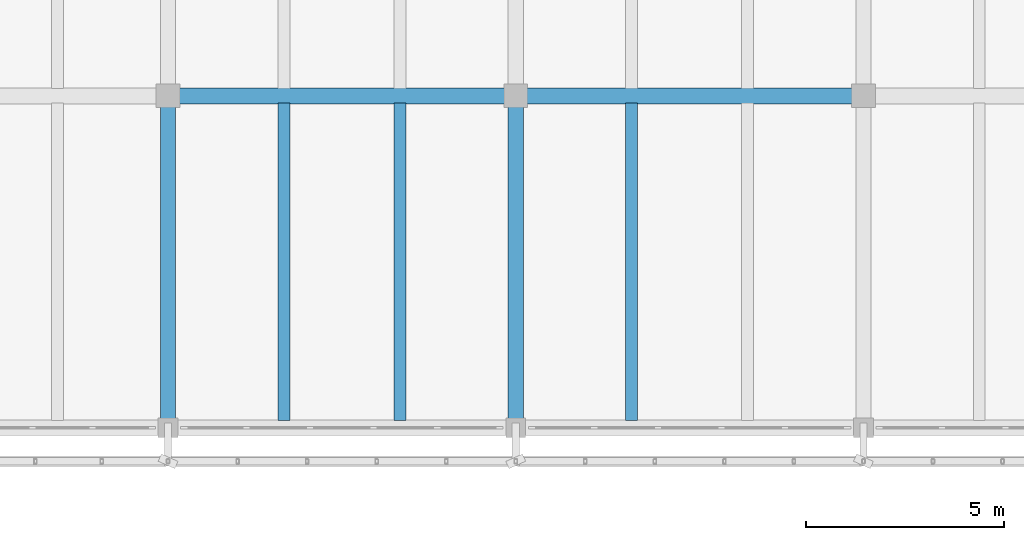
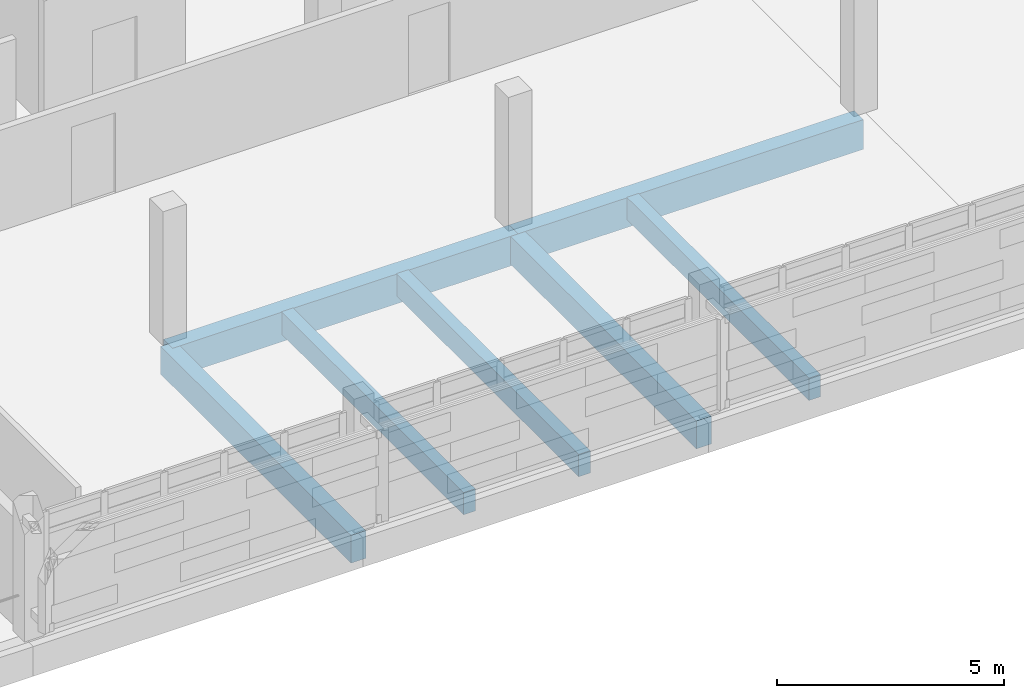
# One storey, part 14 of 50: 7 beams.
"""IFC4 building model written with IfcOpenShell, lengths in metres."""

import ifcopenshell
import ifcopenshell.guid

model = None  # the IFC model being written
_history = None  # IfcOwnerHistory: only IFC2X3 demands one
_inside = {}  # id of a spatial element -> (the spatial element, [elements in it])
_under = {}  # id of a project, library or spatial element -> (it, [spatial elements below it])
_declared = {}  # id of a project -> (the project, [libraries it declares])
_typed = {}  # id of a type object -> (the type object, [elements of that type])
_made_of = {}  # id of a material, layer set ... -> (it, [elements and type objects made of it])


def new_model(schema):
    """Start an empty IFC model of exactly this schema.

    Asked for "IFC4X3", IfcOpenShell would pick the latest addendum, in which some entities
    have other attributes; the version numbers below select the first issue.
    IFC2X3 requires an IfcOwnerHistory on every rooted entity: one is made here for all.
    """
    global model, _history
    if schema == "IFC4X3":
        model = ifcopenshell.file(schema_version=(4, 3, 0, 0))
    else:
        model = ifcopenshell.file(schema=schema)
    _inside.clear()
    _under.clear()
    _declared.clear()
    _typed.clear()
    _made_of.clear()
    _history = None
    if model.schema == "IFC2X3":
        org = make("IfcOrganization", Name="unknown")
        user = make(
            "IfcPersonAndOrganization",
            ThePerson=make("IfcPerson", FamilyName="unknown"),
            TheOrganization=org,
        )
        app = make(
            "IfcApplication",
            ApplicationDeveloper=org,
            Version="unknown",
            ApplicationFullName="unknown",
            ApplicationIdentifier="unknown",
        )
        _history = make(
            "IfcOwnerHistory",
            OwningUser=user,
            OwningApplication=app,
            ChangeAction="ADDED",
            CreationDate=0,
        )
    return model


def make(cls, **values):
    """One entity of the class cls with the attributes given. An attribute that is None is left unset."""
    return model.create_entity(
        cls, **{name: value for name, value in values.items() if value is not None}
    )


def rooted(cls, **values):
    """An entity with a GlobalId (a new one), such as an element, a storey or a relation."""
    return make(cls, GlobalId=ifcopenshell.guid.new(), OwnerHistory=_history, **values)


def si_unit(unit_type, name, prefix=None):
    """IfcSIUnit, for example si_unit("LENGTHUNIT", "METRE", prefix="MILLI")."""
    return make("IfcSIUnit", UnitType=unit_type, Prefix=prefix, Name=name)


def assignment(units):
    """IfcUnitAssignment: the units of a project."""
    return None if units is None else make("IfcUnitAssignment", Units=units)


def point(xyz):
    """IfcCartesianPoint."""
    return None if xyz is None else make("IfcCartesianPoint", Coordinates=xyz)


def direction(xyz):
    """IfcDirection."""
    return None if xyz is None else make("IfcDirection", DirectionRatios=xyz)


def frame(location, z_axis=None, x_axis=None):
    """IfcAxis2Placement3D, a coordinate frame: its origin and axes. An axis left out is left unset."""
    return make(
        "IfcAxis2Placement3D",
        Location=point(location),
        Axis=direction(z_axis),
        RefDirection=direction(x_axis),
    )


def frame_2d(location, x_axis=None):
    """IfcAxis2Placement2D, a coordinate frame in the plane: its origin and x axis."""
    return make(
        "IfcAxis2Placement2D", Location=point(location), RefDirection=direction(x_axis)
    )


def origin():
    """The frame at (0, 0, 0) with its axes left unset."""
    return frame((0.0, 0.0, 0.0))


def origin_2d():
    """The frame at (0, 0) in the plane with its x axis left unset."""
    return frame_2d((0.0, 0.0))


def place(relative_to, where):
    """IfcLocalPlacement: puts the frame where relative to a parent placement (None: the world)."""
    return make(
        "IfcLocalPlacement", PlacementRelTo=relative_to, RelativePlacement=where
    )


def context(
    kind, dimensions, precision=None, world=None, true_north=None, identifier=None
):
    """IfcGeometricRepresentationContext, for example the 3D "Model" context."""
    return make(
        "IfcGeometricRepresentationContext",
        ContextIdentifier=identifier,
        ContextType=kind,
        CoordinateSpaceDimension=dimensions,
        Precision=precision,
        WorldCoordinateSystem=world,
        TrueNorth=true_north,
    )


def subcontext(parent, identifier, kind, view, scale=None):
    """IfcGeometricRepresentationSubContext, for example "Body" below "Model"."""
    return make(
        "IfcGeometricRepresentationSubContext",
        ContextIdentifier=identifier,
        ContextType=kind,
        ParentContext=parent,
        TargetScale=scale,
        TargetView=view,
    )


def project(units=None, contexts=None):
    """IfcProject with its units and contexts."""
    return rooted(
        "IfcProject",
        Name="project",
        RepresentationContexts=contexts,
        UnitsInContext=assignment(units),
    )


def spatial(cls, under=None, at=None, **own):
    """A site, building, storey or space (cls), placed at a placement, below another one or the project."""
    s = rooted(cls, ObjectPlacement=at, **own)
    if under is not None:
        _under.setdefault(under.id(), (under, []))[1].append(s)
    return s


def profile(cls, at=None, kind="AREA", **sizes):
    """A parametric profile (cls). Its sizes go by their IFC names, for example OverallWidth=200.0."""
    return make(cls, ProfileType=kind, Position=at, **sizes)


def rectangle(**sizes):
    """IfcRectangleProfileDef."""
    return profile("IfcRectangleProfileDef", **sizes)


def extrude(swept, where, along, depth):
    """IfcExtrudedAreaSolid: the profile swept, set in the frame where, extruded along a direction by depth."""
    return make(
        "IfcExtrudedAreaSolid",
        SweptArea=swept,
        Position=where,
        ExtrudedDirection=direction(along),
        Depth=depth,
    )


def shape(context_of_items, identifier, shape_type, items):
    """IfcShapeRepresentation: the items that make up one representation, for example the "Body"."""
    return make(
        "IfcShapeRepresentation",
        ContextOfItems=context_of_items,
        RepresentationIdentifier=identifier,
        RepresentationType=shape_type,
        Items=items,
    )


def material(Name=None, Category=None):
    """IfcMaterial."""
    return make("IfcMaterial", Name=Name, Category=Category)


def material_profile(
    of_material, cross_section, Name=None, Category=None, Priority=None
):
    """IfcMaterialProfile: a cross section and its material."""
    return make(
        "IfcMaterialProfile",
        Name=Name,
        Material=of_material,
        Profile=cross_section,
        Priority=Priority,
        Category=Category,
    )


def profile_set(profiles, Name=None, composite=None):
    """IfcMaterialProfileSet."""
    return make(
        "IfcMaterialProfileSet",
        Name=Name,
        MaterialProfiles=profiles,
        CompositeProfile=composite,
    )


def made_of(thing, what):
    """Note that an element or type object is made of a material, layer set ...; save() writes the relation."""
    if what is not None:
        _made_of.setdefault(what.id(), (what, []))[1].append(thing)
    return thing


def type_object(cls, material=None, **own):
    """A type object (cls), such as IfcWallType, which elements share."""
    return made_of(rooted(cls, **own), material)


def element(
    cls,
    number,
    at=None,
    inside=None,
    cuts=None,
    type_object=None,
    material=None,
    context=None,
    identifier="Body",
    shape_type=None,
    held_by="IfcProductDefinitionShape",
    body=None,
    shapes=None,
    **own,
):
    """One element of the class cls, such as IfcWall. Its Tag is "e" and its number.

    at: its placement. inside: the storey or other place that contains it. cuts: it is an
    opening in that element (IfcRelVoidsElement). A single representation is given by context,
    identifier, shape_type and body (its items); several are given by shapes. held_by: the class
    of the entity that holds the representations. save() writes the other relations.
    """
    e = rooted(cls, Tag="e%d" % number, ObjectPlacement=at, **own)
    if body is not None:
        shapes = [shape(context, identifier, shape_type, body)]
    if shapes is not None:
        e.Representation = make(held_by, Representations=shapes)
    if inside is not None:
        _inside.setdefault(inside.id(), (inside, []))[1].append(e)
    if cuts is not None:
        rooted(
            "IfcRelVoidsElement", RelatingBuildingElement=cuts, RelatedOpeningElement=e
        )
    if type_object is not None:
        _typed.setdefault(type_object.id(), (type_object, []))[1].append(e)
    return made_of(e, material)


def aggregate(whole, parts):
    """IfcRelAggregates: a whole, such as a stair, and the parts it consists of."""
    return rooted("IfcRelAggregates", RelatingObject=whole, RelatedObjects=parts)


def save(model, path):
    """Write the relations noted so far, then the file.

    IfcRelAggregates (storeys below a building ...), IfcRelContainedInSpatialStructure (elements
    in a storey), IfcRelDefinesByType, IfcRelAssociatesMaterial and IfcRelDeclares: one each for
    every whole, place, type object, material and project.
    """
    for whole, parts in _under.values():
        aggregate(whole, parts)
    for where, things in _inside.values():
        rooted(
            "IfcRelContainedInSpatialStructure",
            RelatedElements=things,
            RelatingStructure=where,
        )
    for kind, things in _typed.values():
        rooted("IfcRelDefinesByType", RelatedObjects=things, RelatingType=kind)
    for what, things in _made_of.values():
        rooted("IfcRelAssociatesMaterial", RelatedObjects=things, RelatingMaterial=what)
    for by, libraries in _declared.values():
        rooted("IfcRelDeclares", RelatingContext=by, RelatedDefinitions=libraries)
    model.write(path)


model = new_model("IFC4")

# Units and contexts
model_context = context("Model", 3, precision=1e-05, world=origin(), true_north=direction((0.0, 1.0)))
body_context = subcontext(model_context, "Body", "Model", "MODEL_VIEW")
ifc_project = project(units=[si_unit("LENGTHUNIT", "METRE"), si_unit("AREAUNIT", "SQUARE_METRE"), si_unit("VOLUMEUNIT", "CUBIC_METRE"), si_unit("PLANEANGLEUNIT", "RADIAN"), si_unit("MASSUNIT", "GRAM", prefix="KILO")], contexts=[model_context])

# Site, building, storey
site_placement = place(None, origin())
site = spatial("IfcSite", under=ifc_project, at=site_placement, CompositionType="ELEMENT")
building_placement = place(site_placement, origin())
building = spatial("IfcBuilding", under=site, at=building_placement, Name="Cinderway Yard Community Centre", CompositionType="ELEMENT")
storey_placement = place(building_placement, frame((0.0, 0.0, 12.89990234375)))
storey = spatial("IfcBuildingStorey", under=building, at=storey_placement, Name="L03", CompositionType="ELEMENT", Elevation=12.89990234375)

# Beams
ifc_material_1 = material(Name="Concrete C35/45", Category="concrete")
ifc_material_profile_1 = material_profile(ifc_material_1, rectangle(XDim=0.300048828125, YDim=0.60009765625, at=origin_2d()), Name="Concrete C35/45")
ifc_profile_set_1 = profile_set([ifc_material_profile_1], Name="Concrete C35/45")
beam_type_1 = type_object("IfcBeamType", Name="STR-BM-RC300X600", PredefinedType="JOIST", material=ifc_profile_set_1)
for number, where, z_axis, x_axis, name in (
    (1, (78.133056640625, 90.181884765625, -0.539794921875), (0.0, 1.0, 0.0), (-1.0, 0.0, 0.0), "Secondary joist STR-BM-L03-BJ02-0772"),
    (2, (81.06689453125, 90.181884765625, -0.539794921875), (0.0, 1.0, 0.0), (-1.0, 0.0, 0.0), "Secondary joist STR-BM-L03-BJ02-0773"),
    (3, (86.93310546875, 90.181884765625, -0.539794921875), (0.0, 1.0, 0.0), (-1.0, 0.0, 0.0), "Secondary joist STR-BM-L03-BJ02-0776"),
):
    element("IfcBeam", number, at=place(storey_placement, frame(where, z_axis=z_axis, x_axis=x_axis)), inside=storey, type_object=beam_type_1, Name=name, PredefinedType="JOIST", context=body_context, shape_type="SweptSolid", body=[
        extrude(rectangle(XDim=0.300048828125, YDim=0.60009765625, at=origin_2d()), origin(), (0.0, 0.0, 1.0), 8.0361328125),
    ])
ifc_material_profile_2 = material_profile(ifc_material_1, rectangle(XDim=0.3798828125, YDim=0.75, at=origin_2d()), Name="Concrete C35/45")
ifc_profile_set_2 = profile_set([ifc_material_profile_2], Name="Concrete C35/45")
beam_type_2 = type_object("IfcBeamType", Name="STR-BM-RC380X750", PredefinedType="BEAM", material=ifc_profile_set_2)
for number, where, z_axis, x_axis, name in (
    (4, (75.199951171875, 90.0, -0.614990234375), (0.0, 1.0, 0.0), (-1.0, 0.0, 0.0), "Transverse girder STR-BM-L03-BG06-0726"),
    (5, (84.0, 90.0, -0.614990234375), (0.0, 1.0, 0.0), (-1.0, 0.0, 0.0), "Transverse girder STR-BM-L03-BG06-0729"),
):
    element("IfcBeam", number, at=place(storey_placement, frame(where, z_axis=z_axis, x_axis=x_axis)), inside=storey, type_object=beam_type_2, Name=name, PredefinedType="BEAM", context=body_context, shape_type="SweptSolid", body=[
        extrude(rectangle(XDim=0.3798828125, YDim=0.75, at=origin_2d()), origin(), (0.0, 0.0, 1.0), 8.39990234375),
    ])
ifc_material_2 = material(Name="Concrete C40/50", Category="concrete")
ifc_material_profile_3 = material_profile(ifc_material_2, rectangle(XDim=0.39990234375, YDim=0.800048828125, at=origin_2d()), Name="Concrete C40/50")
ifc_profile_set_3 = profile_set([ifc_material_profile_3], Name="Concrete C40/50")
beam_type_3 = type_object("IfcBeamType", Name="STR-BM-RC400X800", PredefinedType="BEAM", material=ifc_profile_set_3)
for number, where, z_axis, x_axis, name in (
    (6, (75.199951171875, 98.39990234375, -0.639892578125), (1.0, 0.0, 0.0), (0.0, 1.0, 0.0), "Primary girder STR-BM-L03-BG05-0685"),
    (7, (84.0, 98.39990234375, -0.639892578125), (1.0, 0.0, 0.0), (0.0, 1.0, 0.0), "Primary girder STR-BM-L03-BG05-0686"),
):
    element("IfcBeam", number, at=place(storey_placement, frame(where, z_axis=z_axis, x_axis=x_axis)), inside=storey, type_object=beam_type_3, Name=name, PredefinedType="BEAM", context=body_context, shape_type="SweptSolid", body=[
        extrude(rectangle(XDim=0.39990234375, YDim=0.800048828125, at=origin_2d()), origin(), (0.0, 0.0, 1.0), 8.800048828125),
    ])

save(model, "model.ifc")
